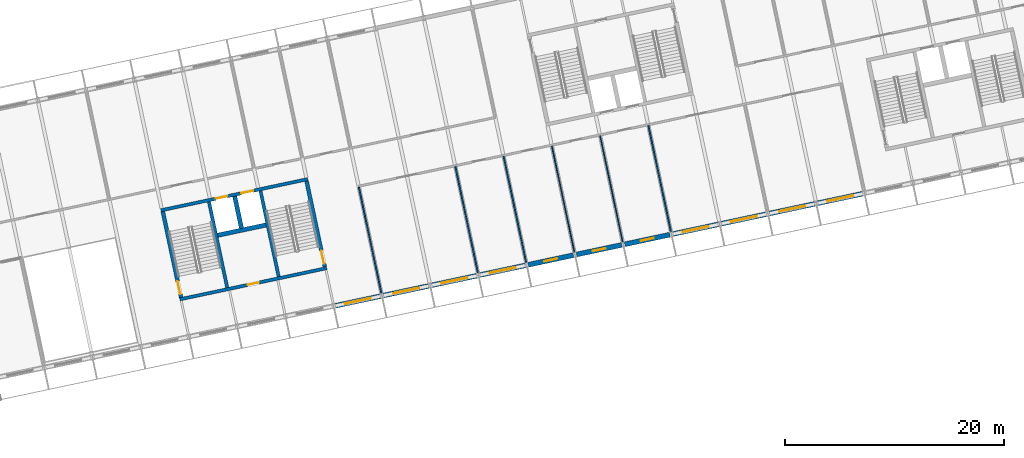
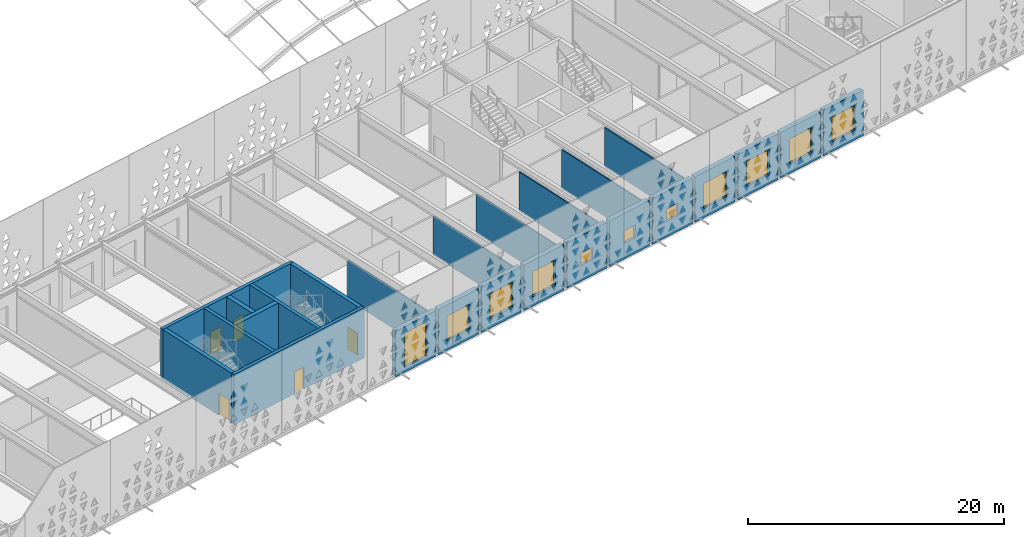
# One storey, part 122 of 196: 25 walls, 11 windows, 5 doors, 16 openings.
"""IFC4 building model written with IfcOpenShell, lengths in metres."""

from ifc_helpers import new_model, si_unit, direction, frame, frame_2d, origin, place, context, subcontext, project, spatial, rectangle, extrude, material, layer, layer_set, type_object, element, fill, save


model = new_model("IFC4")

# Units and contexts
model_context = context("Model", 3, precision=1e-05, world=origin(), true_north=direction((0.0, 1.0)))
body_context = subcontext(model_context, "Body", "Model", "MODEL_VIEW")
ifc_project = project(units=[si_unit("LENGTHUNIT", "METRE"), si_unit("AREAUNIT", "SQUARE_METRE"), si_unit("VOLUMEUNIT", "CUBIC_METRE"), si_unit("PLANEANGLEUNIT", "RADIAN"), si_unit("MASSUNIT", "GRAM", prefix="KILO")], contexts=[model_context])

# Site, building, storey
site_placement = place(None, origin())
site = spatial("IfcSite", under=ifc_project, at=site_placement, CompositionType="ELEMENT")
building_placement = place(site_placement, origin())
building = spatial("IfcBuilding", under=site, at=building_placement, Name="Okhra Congress Centre", CompositionType="ELEMENT")
storey_placement = place(building_placement, frame((0.0, 0.0, 12.0)))
storey = spatial("IfcBuildingStorey", under=building, at=storey_placement, Name="L02", CompositionType="ELEMENT", Elevation=12.0)

# Wall, opening, window
ifc_material_1 = material(Name="Insulated metal panel on steel stud (mineral wool, vapour barrier)", Category="steel")
ifc_layer_1 = layer(ifc_material_1, 0.449951171875)
ifc_layer_set_1 = layer_set([ifc_layer_1], Name="Insulated wall 450")
wall_type_1 = type_object("IfcWallType", Name="Insulated wall 450", PredefinedType="SOLIDWALL", material=ifc_layer_set_1)
wall_1_placement = place(storey_placement, frame((149.19091796875, 45.552490234375, 0.0), z_axis=(0.0, 0.0, 1.0), x_axis=(0.978146440129, 0.207917150959, 0.0)))
wall_1 = element("IfcWall", 1, at=wall_1_placement, inside=storey, type_object=wall_type_1, Name="External wall S21 L02", PredefinedType="SOLIDWALL", context=body_context, shape_type="SweptSolid", body=[
    extrude(rectangle(XDim=4.2001953125, YDim=0.449951171875, at=frame_2d((2.10009765625, 0.0))), origin(), (0.0, 0.0, 1.0), 4.35009765625),
])
opening_1_placement = place(wall_1_placement, frame((0.89990234375, 0.0, 0.449951171875)))
opening_1 = element("IfcOpeningElement", 2, at=opening_1_placement, cuts=wall_1, Name="Opening WN21", PredefinedType="OPENING", context=body_context, shape_type="SweptSolid", body=[
    extrude(rectangle(XDim=2.39990234375, YDim=3.300048828125, at=frame_2d((1.199951171875, 1.64990234375))), frame((0.0, 0.23486328125, 0.0), z_axis=(0.0, -1.0, 0.0), x_axis=(1.0, 0.0, 0.0)), (0.0, 0.0, 1.0), 0.469970703125),
])
ifc_material_2 = material(Name="Thermally broken aluminium frame, triple glazing", Category="aluminium")
window_type_1 = type_object("IfcWindowType", Name="Two-light window 2400x3300", PartitioningType="DOUBLE_PANEL_VERTICAL", PredefinedType="WINDOW", material=ifc_material_2)
window_1_placement = place(opening_1_placement, origin())
window_1 = element("IfcWindow", 3, at=window_1_placement, inside=storey, type_object=window_type_1, Name="BX.WIN.L02.21", OverallHeight=3.300048828125, OverallWidth=2.39990234375, PartitioningType="DOUBLE_PANEL_VERTICAL", PredefinedType="WINDOW", context=body_context, shape_type="SweptSolid", body=[
    extrude(rectangle(XDim=2.39990234375, YDim=3.300048828125, at=frame_2d((1.199951171875, 1.64990234375))), frame((0.0, 0.030029296875, 0.0), z_axis=(0.0, -1.0, 0.0), x_axis=(1.0, 0.0, 0.0)), (0.0, 0.0, 1.0), 0.06005859375),
])
fill(opening_1, window_1)

wall_2_placement = place(storey_placement, frame((153.5927734375, 46.488037109375, 0.0), z_axis=(0.0, 0.0, 1.0), x_axis=(0.978143927149, 0.207928972925, 0.0)))
wall_2 = element("IfcWall", 4, at=wall_2_placement, inside=storey, type_object=wall_type_1, Name="External wall S22 L02", PredefinedType="SOLIDWALL", context=body_context, shape_type="SweptSolid", body=[
    extrude(rectangle(XDim=4.199951171875, YDim=0.449951171875, at=frame_2d((2.10009765625, 0.0))), origin(), (0.0, 0.0, 1.0), 4.35009765625),
])
opening_2_placement = place(wall_2_placement, frame((0.89990234375, 0.0, 0.89990234375)))
opening_2 = element("IfcOpeningElement", 5, at=opening_2_placement, cuts=wall_2, Name="Opening WN22", PredefinedType="OPENING", context=body_context, shape_type="SweptSolid", body=[
    extrude(rectangle(XDim=2.39990234375, YDim=2.39990234375, at=frame_2d((1.199951171875, 1.199951171875))), frame((0.0, 0.23486328125, 0.0), z_axis=(0.0, -1.0, 0.0), x_axis=(1.0, 0.0, 0.0)), (0.0, 0.0, 1.0), 0.469970703125),
])
window_type_2 = type_object("IfcWindowType", Name="Fixed window 2400x2400", PartitioningType="SINGLE_PANEL", PredefinedType="WINDOW", material=ifc_material_2)
window_2_placement = place(opening_2_placement, origin())
window_2 = element("IfcWindow", 6, at=window_2_placement, inside=storey, type_object=window_type_2, Name="BX.WIN.L02.22", OverallHeight=2.39990234375, OverallWidth=2.39990234375, PartitioningType="SINGLE_PANEL", PredefinedType="WINDOW", context=body_context, shape_type="SweptSolid", body=[
    extrude(rectangle(XDim=2.39990234375, YDim=2.39990234375, at=frame_2d((1.199951171875, 1.199951171875))), frame((0.0, 0.030029296875, 0.0), z_axis=(0.0, -1.0, 0.0), x_axis=(1.0, 0.0, 0.0)), (0.0, 0.0, 1.0), 0.06005859375),
])
fill(opening_2, window_2)

wall_3_placement = place(storey_placement, frame((157.994384765625, 47.423583984375, 0.0), z_axis=(0.0, 0.0, 1.0), x_axis=(0.978143927149, 0.207928972925, 0.0)))
wall_3 = element("IfcWall", 7, at=wall_3_placement, inside=storey, type_object=wall_type_1, Name="External wall S23 L02", PredefinedType="SOLIDWALL", context=body_context, shape_type="SweptSolid", body=[
    extrude(rectangle(XDim=4.199951171875, YDim=0.449951171875, at=frame_2d((2.10009765625, 0.0))), origin(), (0.0, 0.0, 1.0), 4.35009765625),
])
opening_3_placement = place(wall_3_placement, frame((0.89990234375, 0.0, 0.89990234375)))
opening_3 = element("IfcOpeningElement", 8, at=opening_3_placement, cuts=wall_3, Name="Opening WN22", PredefinedType="OPENING", context=body_context, shape_type="SweptSolid", body=[
    extrude(rectangle(XDim=2.39990234375, YDim=2.39990234375, at=frame_2d((1.199951171875, 1.199951171875))), frame((0.0, 0.23486328125, 0.0), z_axis=(0.0, -1.0, 0.0), x_axis=(1.0, 0.0, 0.0)), (0.0, 0.0, 1.0), 0.469970703125),
])
window_3_placement = place(opening_3_placement, origin())
window_3 = element("IfcWindow", 9, at=window_3_placement, inside=storey, type_object=window_type_2, Name="BX.WIN.L02.23", OverallHeight=2.39990234375, OverallWidth=2.39990234375, PartitioningType="SINGLE_PANEL", PredefinedType="WINDOW", context=body_context, shape_type="SweptSolid", body=[
    extrude(rectangle(XDim=2.39990234375, YDim=2.39990234375, at=frame_2d((1.199951171875, 1.199951171875))), frame((0.0, 0.030029296875, 0.0), z_axis=(0.0, -1.0, 0.0), x_axis=(1.0, 0.0, 0.0)), (0.0, 0.0, 1.0), 0.06005859375),
])
fill(opening_3, window_3)

wall_4_placement = place(storey_placement, frame((162.39599609375, 48.359375, 0.0), z_axis=(0.0, 0.0, 1.0), x_axis=(0.978155748334, 0.207873355681, 0.0)))
wall_4 = element("IfcWall", 10, at=wall_4_placement, inside=storey, type_object=wall_type_1, Name="External wall S24 L02", PredefinedType="SOLIDWALL", context=body_context, shape_type="SweptSolid", body=[
    extrude(rectangle(XDim=4.199951171875, YDim=0.449951171875, at=frame_2d((2.10009765625, 0.0))), origin(), (0.0, 0.0, 1.0), 4.35009765625),
])
opening_4_placement = place(wall_4_placement, frame((0.89990234375, 0.0, 0.89990234375)))
opening_4 = element("IfcOpeningElement", 11, at=opening_4_placement, cuts=wall_4, Name="Opening WN22", PredefinedType="OPENING", context=body_context, shape_type="SweptSolid", body=[
    extrude(rectangle(XDim=2.39990234375, YDim=2.39990234375, at=frame_2d((1.199951171875, 1.199951171875))), frame((0.0, 0.23486328125, 0.0), z_axis=(0.0, -1.0, 0.0), x_axis=(1.0, 0.0, 0.0)), (0.0, 0.0, 1.0), 0.469970703125),
])
window_4_placement = place(opening_4_placement, origin())
window_4 = element("IfcWindow", 12, at=window_4_placement, inside=storey, type_object=window_type_2, Name="BX.WIN.L02.24", OverallHeight=2.39990234375, OverallWidth=2.39990234375, PartitioningType="SINGLE_PANEL", PredefinedType="WINDOW", context=body_context, shape_type="SweptSolid", body=[
    extrude(rectangle(XDim=2.39990234375, YDim=2.39990234375, at=frame_2d((1.199951171875, 1.199951171875))), frame((0.0, 0.030029296875, 0.0), z_axis=(0.0, -1.0, 0.0), x_axis=(1.0, 0.0, 0.0)), (0.0, 0.0, 1.0), 0.06005859375),
])
fill(opening_4, window_4)

wall_5_placement = place(storey_placement, frame((166.797607421875, 49.294921875, 0.0), z_axis=(0.0, 0.0, 1.0), x_axis=(0.978143927149, 0.207928972925, 0.0)))
wall_5 = element("IfcWall", 13, at=wall_5_placement, inside=storey, type_object=wall_type_1, Name="External wall S25 L02", PredefinedType="SOLIDWALL", context=body_context, shape_type="SweptSolid", body=[
    extrude(rectangle(XDim=4.199951171875, YDim=0.449951171875, at=frame_2d((2.10009765625, 0.0))), origin(), (0.0, 0.0, 1.0), 4.35009765625),
])
opening_5_placement = place(wall_5_placement, frame((1.5, 0.0, 1.5)))
opening_5 = element("IfcOpeningElement", 14, at=opening_5_placement, cuts=wall_5, Name="Opening WN24", PredefinedType="OPENING", context=body_context, shape_type="SweptSolid", body=[
    extrude(rectangle(XDim=1.199951171875, YDim=1.199951171875, at=frame_2d((0.60009765625, 0.60009765625))), frame((0.0, 0.23486328125, 0.0), z_axis=(0.0, -1.0, 0.0), x_axis=(1.0, 0.0, 0.0)), (0.0, 0.0, 1.0), 0.469970703125),
])
window_type_3 = type_object("IfcWindowType", Name="Tilt-and-turn window 1200x1200", PartitioningType="SINGLE_PANEL", PredefinedType="WINDOW", material=ifc_material_2)
window_5_placement = place(opening_5_placement, origin())
window_5 = element("IfcWindow", 15, at=window_5_placement, inside=storey, type_object=window_type_3, Name="BX.WIN.L02.25", OverallHeight=1.199951171875, OverallWidth=1.199951171875, PartitioningType="SINGLE_PANEL", PredefinedType="WINDOW", context=body_context, shape_type="SweptSolid", body=[
    extrude(rectangle(XDim=1.199951171875, YDim=1.199951171875, at=frame_2d((0.60009765625, 0.60009765625))), frame((0.0, 0.030029296875, 0.0), z_axis=(0.0, -1.0, 0.0), x_axis=(1.0, 0.0, 0.0)), (0.0, 0.0, 1.0), 0.06005859375),
])
fill(opening_5, window_5)

wall_6_placement = place(storey_placement, frame((171.19921875, 50.23046875, 0.0), z_axis=(0.0, 0.0, 1.0), x_axis=(0.978146440129, 0.207917150959, 0.0)))
wall_6 = element("IfcWall", 16, at=wall_6_placement, inside=storey, type_object=wall_type_1, Name="External wall S26 L02", PredefinedType="SOLIDWALL", context=body_context, shape_type="SweptSolid", body=[
    extrude(rectangle(XDim=4.2001953125, YDim=0.449951171875, at=frame_2d((2.10009765625, 0.0))), origin(), (0.0, 0.0, 1.0), 4.35009765625),
])
opening_6_placement = place(wall_6_placement, frame((1.5, 0.0, 1.5)))
opening_6 = element("IfcOpeningElement", 17, at=opening_6_placement, cuts=wall_6, Name="Opening WN24", PredefinedType="OPENING", context=body_context, shape_type="SweptSolid", body=[
    extrude(rectangle(XDim=1.199951171875, YDim=1.199951171875, at=frame_2d((0.60009765625, 0.60009765625))), frame((0.0, 0.23486328125, 0.0), z_axis=(0.0, -1.0, 0.0), x_axis=(1.0, 0.0, 0.0)), (0.0, 0.0, 1.0), 0.469970703125),
])
window_6_placement = place(opening_6_placement, origin())
window_6 = element("IfcWindow", 18, at=window_6_placement, inside=storey, type_object=window_type_3, Name="BX.WIN.L02.26", OverallHeight=1.199951171875, OverallWidth=1.199951171875, PartitioningType="SINGLE_PANEL", PredefinedType="WINDOW", context=body_context, shape_type="SweptSolid", body=[
    extrude(rectangle(XDim=1.199951171875, YDim=1.199951171875, at=frame_2d((0.60009765625, 0.60009765625))), frame((0.0, 0.030029296875, 0.0), z_axis=(0.0, -1.0, 0.0), x_axis=(1.0, 0.0, 0.0)), (0.0, 0.0, 1.0), 0.06005859375),
])
fill(opening_6, window_6)

wall_7_placement = place(storey_placement, frame((175.60107421875, 51.166015625, 0.0), z_axis=(0.0, 0.0, 1.0), x_axis=(0.978143927149, 0.207928972925, 0.0)))
wall_7 = element("IfcWall", 19, at=wall_7_placement, inside=storey, type_object=wall_type_1, Name="External wall S27 L02", PredefinedType="SOLIDWALL", context=body_context, shape_type="SweptSolid", body=[
    extrude(rectangle(XDim=4.199951171875, YDim=0.449951171875, at=frame_2d((2.10009765625, 0.0))), origin(), (0.0, 0.0, 1.0), 4.35009765625),
])
opening_7_placement = place(wall_7_placement, frame((1.5, 0.0, 1.5)))
opening_7 = element("IfcOpeningElement", 20, at=opening_7_placement, cuts=wall_7, Name="Opening WN24", PredefinedType="OPENING", context=body_context, shape_type="SweptSolid", body=[
    extrude(rectangle(XDim=1.199951171875, YDim=1.199951171875, at=frame_2d((0.60009765625, 0.60009765625))), frame((0.0, 0.23486328125, 0.0), z_axis=(0.0, -1.0, 0.0), x_axis=(1.0, 0.0, 0.0)), (0.0, 0.0, 1.0), 0.469970703125),
])
window_7_placement = place(opening_7_placement, origin())
window_7 = element("IfcWindow", 21, at=window_7_placement, inside=storey, type_object=window_type_3, Name="BX.WIN.L02.27", OverallHeight=1.199951171875, OverallWidth=1.199951171875, PartitioningType="SINGLE_PANEL", PredefinedType="WINDOW", context=body_context, shape_type="SweptSolid", body=[
    extrude(rectangle(XDim=1.199951171875, YDim=1.199951171875, at=frame_2d((0.60009765625, 0.60009765625))), frame((0.0, 0.030029296875, 0.0), z_axis=(0.0, -1.0, 0.0), x_axis=(1.0, 0.0, 0.0)), (0.0, 0.0, 1.0), 0.06005859375),
])
fill(opening_7, window_7)

wall_8_placement = place(storey_placement, frame((180.002685546875, 52.101806640625, 0.0), z_axis=(0.0, 0.0, 1.0), x_axis=(0.978155748334, 0.207873355681, 0.0)))
wall_8 = element("IfcWall", 22, at=wall_8_placement, inside=storey, type_object=wall_type_1, Name="External wall S28 L02", PredefinedType="SOLIDWALL", context=body_context, shape_type="SweptSolid", body=[
    extrude(rectangle(XDim=4.199951171875, YDim=0.449951171875, at=frame_2d((2.10009765625, 0.0))), origin(), (0.0, 0.0, 1.0), 4.35009765625),
])
opening_8_placement = place(wall_8_placement, frame((0.89990234375, 0.0, 0.89990234375)))
opening_8 = element("IfcOpeningElement", 23, at=opening_8_placement, cuts=wall_8, Name="Opening WN22", PredefinedType="OPENING", context=body_context, shape_type="SweptSolid", body=[
    extrude(rectangle(XDim=2.39990234375, YDim=2.39990234375, at=frame_2d((1.199951171875, 1.199951171875))), frame((0.0, 0.23486328125, 0.0), z_axis=(0.0, -1.0, 0.0), x_axis=(1.0, 0.0, 0.0)), (0.0, 0.0, 1.0), 0.469970703125),
])
window_8_placement = place(opening_8_placement, origin())
window_8 = element("IfcWindow", 24, at=window_8_placement, inside=storey, type_object=window_type_2, Name="BX.WIN.L02.28", OverallHeight=2.39990234375, OverallWidth=2.39990234375, PartitioningType="SINGLE_PANEL", PredefinedType="WINDOW", context=body_context, shape_type="SweptSolid", body=[
    extrude(rectangle(XDim=2.39990234375, YDim=2.39990234375, at=frame_2d((1.199951171875, 1.199951171875))), frame((0.0, 0.030029296875, 0.0), z_axis=(0.0, -1.0, 0.0), x_axis=(1.0, 0.0, 0.0)), (0.0, 0.0, 1.0), 0.06005859375),
])
fill(opening_8, window_8)

wall_9_placement = place(storey_placement, frame((184.404296875, 53.037353515625, 0.0), z_axis=(0.0, 0.0, 1.0), x_axis=(0.978143927149, 0.207928972925, 0.0)))
wall_9 = element("IfcWall", 25, at=wall_9_placement, inside=storey, type_object=wall_type_1, Name="External wall S29 L02", PredefinedType="SOLIDWALL", context=body_context, shape_type="SweptSolid", body=[
    extrude(rectangle(XDim=4.199951171875, YDim=0.449951171875, at=frame_2d((2.10009765625, 0.0))), origin(), (0.0, 0.0, 1.0), 4.35009765625),
])
opening_9_placement = place(wall_9_placement, frame((0.89990234375, 0.0, 0.89990234375)))
opening_9 = element("IfcOpeningElement", 26, at=opening_9_placement, cuts=wall_9, Name="Opening WN22", PredefinedType="OPENING", context=body_context, shape_type="SweptSolid", body=[
    extrude(rectangle(XDim=2.39990234375, YDim=2.39990234375, at=frame_2d((1.199951171875, 1.199951171875))), frame((0.0, 0.23486328125, 0.0), z_axis=(0.0, -1.0, 0.0), x_axis=(1.0, 0.0, 0.0)), (0.0, 0.0, 1.0), 0.469970703125),
])
window_9_placement = place(opening_9_placement, origin())
window_9 = element("IfcWindow", 27, at=window_9_placement, inside=storey, type_object=window_type_2, Name="BX.WIN.L02.29", OverallHeight=2.39990234375, OverallWidth=2.39990234375, PartitioningType="SINGLE_PANEL", PredefinedType="WINDOW", context=body_context, shape_type="SweptSolid", body=[
    extrude(rectangle(XDim=2.39990234375, YDim=2.39990234375, at=frame_2d((1.199951171875, 1.199951171875))), frame((0.0, 0.030029296875, 0.0), z_axis=(0.0, -1.0, 0.0), x_axis=(1.0, 0.0, 0.0)), (0.0, 0.0, 1.0), 0.06005859375),
])
fill(opening_9, window_9)

wall_10_placement = place(storey_placement, frame((188.805908203125, 53.972900390625, 0.0), z_axis=(0.0, 0.0, 1.0), x_axis=(0.978146440129, 0.207917150959, 0.0)))
wall_10 = element("IfcWall", 28, at=wall_10_placement, inside=storey, type_object=wall_type_1, Name="External wall S30 L02", PredefinedType="SOLIDWALL", context=body_context, shape_type="SweptSolid", body=[
    extrude(rectangle(XDim=4.2001953125, YDim=0.449951171875, at=frame_2d((2.10009765625, 0.0))), origin(), (0.0, 0.0, 1.0), 4.35009765625),
])
opening_10_placement = place(wall_10_placement, frame((0.89990234375, 0.0, 0.89990234375)))
opening_10 = element("IfcOpeningElement", 29, at=opening_10_placement, cuts=wall_10, Name="Opening WN22", PredefinedType="OPENING", context=body_context, shape_type="SweptSolid", body=[
    extrude(rectangle(XDim=2.39990234375, YDim=2.39990234375, at=frame_2d((1.199951171875, 1.199951171875))), frame((0.0, 0.23486328125, 0.0), z_axis=(0.0, -1.0, 0.0), x_axis=(1.0, 0.0, 0.0)), (0.0, 0.0, 1.0), 0.469970703125),
])
window_10_placement = place(opening_10_placement, origin())
window_10 = element("IfcWindow", 30, at=window_10_placement, inside=storey, type_object=window_type_2, Name="BX.WIN.L02.30", OverallHeight=2.39990234375, OverallWidth=2.39990234375, PartitioningType="SINGLE_PANEL", PredefinedType="WINDOW", context=body_context, shape_type="SweptSolid", body=[
    extrude(rectangle(XDim=2.39990234375, YDim=2.39990234375, at=frame_2d((1.199951171875, 1.199951171875))), frame((0.0, 0.030029296875, 0.0), z_axis=(0.0, -1.0, 0.0), x_axis=(1.0, 0.0, 0.0)), (0.0, 0.0, 1.0), 0.06005859375),
])
fill(opening_10, window_10)

wall_11_placement = place(storey_placement, frame((193.20751953125, 54.908447265625, 0.0), z_axis=(0.0, 0.0, 1.0), x_axis=(0.978146440129, 0.207917150959, 0.0)))
wall_11 = element("IfcWall", 31, at=wall_11_placement, inside=storey, type_object=wall_type_1, Name="External wall S31 L02", PredefinedType="SOLIDWALL", context=body_context, shape_type="SweptSolid", body=[
    extrude(rectangle(XDim=4.2001953125, YDim=0.449951171875, at=frame_2d((2.10009765625, 0.0))), origin(), (0.0, 0.0, 1.0), 4.35009765625),
])
opening_11_placement = place(wall_11_placement, frame((0.89990234375, 0.0, 0.89990234375)))
opening_11 = element("IfcOpeningElement", 32, at=opening_11_placement, cuts=wall_11, Name="Opening WN22", PredefinedType="OPENING", context=body_context, shape_type="SweptSolid", body=[
    extrude(rectangle(XDim=2.39990234375, YDim=2.39990234375, at=frame_2d((1.199951171875, 1.199951171875))), frame((0.0, 0.23486328125, 0.0), z_axis=(0.0, -1.0, 0.0), x_axis=(1.0, 0.0, 0.0)), (0.0, 0.0, 1.0), 0.469970703125),
])
window_11_placement = place(opening_11_placement, origin())
window_11 = element("IfcWindow", 33, at=window_11_placement, inside=storey, type_object=window_type_2, Name="BX.WIN.L02.31", OverallHeight=2.39990234375, OverallWidth=2.39990234375, PartitioningType="SINGLE_PANEL", PredefinedType="WINDOW", context=body_context, shape_type="SweptSolid", body=[
    extrude(rectangle(XDim=2.39990234375, YDim=2.39990234375, at=frame_2d((1.199951171875, 1.199951171875))), frame((0.0, 0.030029296875, 0.0), z_axis=(0.0, -1.0, 0.0), x_axis=(1.0, 0.0, 0.0)), (0.0, 0.0, 1.0), 0.06005859375),
])
fill(opening_11, window_11)

# Walls
ifc_material_3 = material(Name="Gypsum board on steel studs", Category="steel")
ifc_layer_2 = layer(ifc_material_3, 0.10009765625)
ifc_layer_set_2 = layer_set([ifc_layer_2], Name="Partition 100")
wall_type_2 = type_object("IfcWallType", Name="Partition 100", PredefinedType="PARTITIONING", material=ifc_layer_set_2)
for number, where, z_axis, x_axis, name in (
    (34, (171.005859375, 50.41943359375, 0.0), (0.0, 0.0, 1.0), (-0.20790935802, 0.978148096582, 0.0), "Partition S L02"),
    (35, (175.407470703125, 51.35498046875, 0.0), (0.0, 0.0, 1.0), (-0.20790935802, 0.978148096582, 0.0), "Partition S L02"),
):
    element("IfcWall", number, at=place(storey_placement, frame(where, z_axis=z_axis, x_axis=x_axis)), inside=storey, type_object=wall_type_2, Name=name, PredefinedType="PARTITIONING", context=body_context, shape_type="SweptSolid", body=[
        extrude(rectangle(XDim=9.9248046875, YDim=0.10009765625, at=frame_2d((4.96240234375, 0.0))), origin(), (0.0, 0.0, 1.0), 3.75),
    ])
ifc_layer_3 = layer(ifc_material_3, 0.125)
ifc_layer_set_3 = layer_set([ifc_layer_3], Name="Partition 125")
wall_type_3 = type_object("IfcWallType", Name="Partition 125", PredefinedType="PARTITIONING", material=ifc_layer_set_3)
wall_12_placement = place(storey_placement, frame((153.399169921875, 46.677001953125, 0.0), z_axis=(0.0, 0.0, 1.0), x_axis=(-0.20790935802, 0.978148096582, 0.0)))
element("IfcWall", 36, at=wall_12_placement, inside=storey, type_object=wall_type_3, Name="Partition S L02", PredefinedType="PARTITIONING", context=body_context, shape_type="SweptSolid", body=[
    extrude(rectangle(XDim=9.9248046875, YDim=0.125, at=frame_2d((4.96240234375, 0.0))), origin(), (0.0, 0.0, 1.0), 3.75),
])
for number, where, z_axis, x_axis, name in (
    (37, (162.202392578125, 48.548095703125, 0.0), (0.0, 0.0, 1.0), (-0.207904355568, 0.978149159861, 0.0), "Partition S L02"),
    (38, (166.604248046875, 49.48388671875, 0.0), (0.0, 0.0, 1.0), (-0.207932893358, 0.978143093754, 0.0), "Partition S L02"),
    (39, (179.80908203125, 52.29052734375, 0.0), (0.0, 0.0, 1.0), (-0.207904355568, 0.978149159861, 0.0), "Partition S L02"),
):
    element("IfcWall", number, at=place(storey_placement, frame(where, z_axis=z_axis, x_axis=x_axis)), inside=storey, type_object=wall_type_3, Name=name, PredefinedType="PARTITIONING", context=body_context, shape_type="SweptSolid", body=[
        extrude(rectangle(XDim=9.925048828125, YDim=0.125, at=frame_2d((4.96240234375, 0.0))), origin(), (0.0, 0.0, 1.0), 3.75),
    ])

# Wall, opening, door
ifc_material_4 = material(Name="Concrete C35/45", Category="concrete")
ifc_layer_4 = layer(ifc_material_4, 0.300048828125)
ifc_layer_set_4 = layer_set([ifc_layer_4], Name="RC core wall 300 REI 120 C35/45")
wall_type_4 = type_object("IfcWallType", Name="RC core wall 300 REI 120 C35/45", PredefinedType="SHEAR", material=ifc_layer_set_4)
wall_13_placement = place(storey_placement, frame((135.008544921875, 46.1416015625, 0.0), z_axis=(0.0, 0.0, 1.0), x_axis=(0.978147662755, 0.20791139903, 0.0)))
wall_13 = element("IfcWall", 40, at=wall_13_placement, inside=storey, type_object=wall_type_4, Name="BX.WALL.L02.K3S", PredefinedType="SHEAR", context=body_context, shape_type="SweptSolid", body=[
    extrude(rectangle(XDim=13.699951171875, YDim=0.300048828125, at=frame_2d((6.85009765625, 0.0))), origin(), (0.0, 0.0, 1.0), 4.800048828125),
])
opening_12_placement = place(wall_13_placement, frame((6.35009765625, 0.0, 0.0)))
opening_12 = element("IfcOpeningElement", 41, at=opening_12_placement, cuts=wall_13, Name="Opening L02-050", PredefinedType="OPENING", context=body_context, shape_type="SweptSolid", body=[
    extrude(rectangle(XDim=1.0, YDim=2.10009765625, at=frame_2d((0.5, 1.050048828125))), frame((0.0, 0.159912109375, 0.0), z_axis=(0.0, -1.0, 0.0), x_axis=(1.0, 0.0, 0.0)), (0.0, 0.0, 1.0), 0.320068359375),
])
ifc_material_5 = material(Name="Steel fire door leaf in steel frame, intumescent seals", Category="steel")
door_type_1 = type_object("IfcDoorType", Name="Steel fire door 1000x2100 EI 30", OperationType="NOTDEFINED", PredefinedType="DOOR", material=ifc_material_5)
door_1_placement = place(opening_12_placement, origin())
door_1 = element("IfcDoor", 42, at=door_1_placement, inside=storey, type_object=door_type_1, Name="Door L02-050", OperationType="SINGLE_SWING_RIGHT", OverallHeight=2.10009765625, OverallWidth=1.0, PredefinedType="DOOR", context=body_context, shape_type="SweptSolid", body=[
    extrude(rectangle(XDim=1.0, YDim=2.10009765625, at=frame_2d((0.5, 1.050048828125))), frame((0.0, 0.02490234375, 0.0), z_axis=(0.0, -1.0, 0.0), x_axis=(1.0, 0.0, 0.0)), (0.0, 0.0, 1.0), 0.050048828125),
])
fill(opening_12, door_1)

# Wall, openings, doors
wall_14_placement = place(storey_placement, frame((133.282958984375, 54.26025390625, 0.0), z_axis=(0.0, 0.0, 1.0), x_axis=(0.978147662755, 0.20791139903, 0.0)))
wall_14 = element("IfcWall", 43, at=wall_14_placement, inside=storey, type_object=wall_type_4, Name="BX.WALL.L02.K3T", PredefinedType="SHEAR", context=body_context, shape_type="SweptSolid", body=[
    extrude(rectangle(XDim=13.699951171875, YDim=0.300048828125, at=frame_2d((6.85009765625, 0.0))), origin(), (0.0, 0.0, 1.0), 4.800048828125),
])
opening_13_placement = place(wall_14_placement, frame((5.10009765625, 0.0, 0.0)))
opening_13 = element("IfcOpeningElement", 44, at=opening_13_placement, cuts=wall_14, Name="Opening L02-046", PredefinedType="OPENING", context=body_context, shape_type="SweptSolid", body=[
    extrude(rectangle(XDim=1.10009765625, YDim=2.10009765625, at=frame_2d((0.550048828125, 1.050048828125))), frame((0.0, 0.159912109375, 0.0), z_axis=(0.0, -1.0, 0.0), x_axis=(1.0, 0.0, 0.0)), (0.0, 0.0, 1.0), 0.320068359375),
])
opening_14_placement = place(wall_14_placement, frame((7.5, 0.0, 0.0)))
opening_14 = element("IfcOpeningElement", 45, at=opening_14_placement, cuts=wall_14, Name="Opening L02-047", PredefinedType="OPENING", context=body_context, shape_type="SweptSolid", body=[
    extrude(rectangle(XDim=1.10009765625, YDim=2.10009765625, at=frame_2d((0.550048828125, 1.050048828125))), frame((0.0, 0.159912109375, 0.0), z_axis=(0.0, -1.0, 0.0), x_axis=(1.0, 0.0, 0.0)), (0.0, 0.0, 1.0), 0.320068359375),
])
ifc_material_6 = material(Name="Stainless steel sliding landing door leaves", Category="steel")
door_type_2 = type_object("IfcDoorType", Name="Lift landing door 1100x2100 EI 30", OperationType="DOUBLE_DOOR_SLIDING", PredefinedType="DOOR", material=ifc_material_6)
door_2_placement = place(opening_13_placement, origin())
door_2 = element("IfcDoor", 46, at=door_2_placement, inside=storey, type_object=door_type_2, Name="Door L02-046", OperationType="DOUBLE_DOOR_SLIDING", OverallHeight=2.10009765625, OverallWidth=1.10009765625, PredefinedType="DOOR", context=body_context, shape_type="SweptSolid", body=[
    extrude(rectangle(XDim=1.10009765625, YDim=2.10009765625, at=frame_2d((0.550048828125, 1.050048828125))), frame((0.0, 0.02490234375, 0.0), z_axis=(0.0, -1.0, 0.0), x_axis=(1.0, 0.0, 0.0)), (0.0, 0.0, 1.0), 0.050048828125),
])
fill(opening_13, door_2)
door_3_placement = place(opening_14_placement, origin())
door_3 = element("IfcDoor", 47, at=door_3_placement, inside=storey, type_object=door_type_2, Name="Door L02-047", OperationType="DOUBLE_DOOR_SLIDING", OverallHeight=2.10009765625, OverallWidth=1.10009765625, PredefinedType="DOOR", context=body_context, shape_type="SweptSolid", body=[
    extrude(rectangle(XDim=1.10009765625, YDim=2.10009765625, at=frame_2d((0.550048828125, 1.050048828125))), frame((0.0, 0.02490234375, 0.0), z_axis=(0.0, -1.0, 0.0), x_axis=(1.0, 0.0, 0.0)), (0.0, 0.0, 1.0), 0.050048828125),
])
fill(opening_14, door_3)

# Walls
for number, where, z_axis, x_axis, name in (
    (48, (139.330078125, 47.213623046875, 0.0), (0.0, 0.0, 1.0), (-0.207915693476, 0.978146749934, 0.0), "BX.WALL.L02.K3P1"),
    (49, (144.025146484375, 48.211669921875, 0.0), (0.0, 0.0, 1.0), (-0.207886494942, 0.978152955943, 0.0), "BX.WALL.L02.K3P2"),
):
    element("IfcWall", number, at=place(storey_placement, frame(where, z_axis=z_axis, x_axis=x_axis)), inside=storey, type_object=wall_type_4, Name=name, PredefinedType="SHEAR", context=body_context, shape_type="SweptSolid", body=[
        extrude(rectangle(XDim=8.0, YDim=0.300048828125, at=frame_2d((4.0, 0.0))), origin(), (0.0, 0.0, 1.0), 4.800048828125),
    ])
ifc_layer_5 = layer(ifc_material_4, 0.39990234375)
ifc_layer_set_5 = layer_set([ifc_layer_5], Name="RC core wall 400 REI 120 C35/45")
wall_type_5 = type_object("IfcWallType", Name="RC core wall 400 REI 120 C35/45", PredefinedType="SHEAR", material=ifc_layer_set_5)
wall_15_placement = place(storey_placement, frame((140.63818359375, 52.603271484375, 0.0), z_axis=(0.0, 0.0, 1.0), x_axis=(-0.207917150959, 0.978146440129, 0.0)))
element("IfcWall", 50, at=wall_15_placement, inside=storey, type_object=wall_type_5, Name="BX.WALL.L02.K3D", PredefinedType="SHEAR", context=body_context, shape_type="SweptSolid", body=[
    extrude(rectangle(XDim=3.000244140625, YDim=0.39990234375, at=frame_2d((1.5, 0.0))), origin(), (0.0, 0.0, 1.0), 4.800048828125),
])
wall_16_placement = place(storey_placement, frame((138.468505859375, 51.98876953125, 0.0), z_axis=(0.0, 0.0, 1.0), x_axis=(0.978149611564, 0.20790223038, 0.0)))
element("IfcWall", 51, at=wall_16_placement, inside=storey, type_object=wall_type_5, Name="BX.WALL.L02.K3R", PredefinedType="SHEAR", context=body_context, shape_type="SweptSolid", body=[
    extrude(rectangle(XDim=4.5, YDim=0.39990234375, at=frame_2d((2.25, 0.0))), origin(), (0.0, 0.0, 1.0), 4.800048828125),
])

# Wall, opening, door
ifc_material_7 = material(Name="Concrete C30/37", Category="concrete")
ifc_layer_6 = layer(ifc_material_7, 0.35009765625)
ifc_layer_set_6 = layer_set([ifc_layer_6], Name="RC wall 350 REI 120 C30/37")
wall_type_6 = type_object("IfcWallType", Name="RC wall 350 REI 120 C30/37", PredefinedType="SOLIDWALL", material=ifc_layer_set_6)
wall_17_placement = place(storey_placement, frame((135.1240234375, 46.319580078125, 0.0), z_axis=(0.0, 0.0, 1.0), x_axis=(-0.207886494942, 0.978152955943, 0.0)))
wall_17 = element("IfcWall", 52, at=wall_17_placement, inside=storey, type_object=wall_type_6, Name="BX.WALL.L02.K3W", PredefinedType="SOLIDWALL", context=body_context, shape_type="SweptSolid", body=[
    extrude(rectangle(XDim=8.0, YDim=0.35009765625, at=frame_2d((4.0, 0.0))), origin(), (0.0, 0.0, 1.0), 4.800048828125),
])
opening_15_placement = place(wall_17_placement, frame((0.300048828125, 0.0, 0.0)))
opening_15 = element("IfcOpeningElement", 53, at=opening_15_placement, cuts=wall_17, Name="Opening L02-048", PredefinedType="OPENING", context=body_context, shape_type="SweptSolid", body=[
    extrude(rectangle(XDim=1.199951171875, YDim=2.10009765625, at=frame_2d((0.60009765625, 1.050048828125))), frame((0.0, 0.18505859375, 0.0), z_axis=(0.0, -1.0, 0.0), x_axis=(1.0, 0.0, 0.0)), (0.0, 0.0, 1.0), 0.3701171875),
])
door_type_3 = type_object("IfcDoorType", Name="Steel fire door 1200x2100 EI 30", OperationType="NOTDEFINED", PredefinedType="DOOR", material=ifc_material_5)
door_4_placement = place(opening_15_placement, origin())
door_4 = element("IfcDoor", 54, at=door_4_placement, inside=storey, type_object=door_type_3, Name="Door L02-048", OperationType="SINGLE_SWING_LEFT", OverallHeight=2.10009765625, OverallWidth=1.199951171875, PredefinedType="DOOR", context=body_context, shape_type="SweptSolid", body=[
    extrude(rectangle(XDim=1.199951171875, YDim=2.10009765625, at=frame_2d((0.60009765625, 1.050048828125))), frame((0.0, 0.02490234375, 0.0), z_axis=(0.0, -1.0, 0.0), x_axis=(1.0, 0.0, 0.0)), (0.0, 0.0, 1.0), 0.050048828125),
])
fill(opening_15, door_4)

wall_18_placement = place(storey_placement, frame((148.231201171875, 49.10546875, 0.0), z_axis=(0.0, 0.0, 1.0), x_axis=(-0.207886494942, 0.978152955943, 0.0)))
wall_18 = element("IfcWall", 55, at=wall_18_placement, inside=storey, type_object=wall_type_6, Name="BX.WALL.L02.K3E", PredefinedType="SOLIDWALL", context=body_context, shape_type="SweptSolid", body=[
    extrude(rectangle(XDim=8.0, YDim=0.35009765625, at=frame_2d((4.0, 0.0))), origin(), (0.0, 0.0, 1.0), 4.800048828125),
])
opening_16_placement = place(wall_18_placement, frame((0.300048828125, 0.0, 0.0)))
opening_16 = element("IfcOpeningElement", 56, at=opening_16_placement, cuts=wall_18, Name="Opening L02-049", PredefinedType="OPENING", context=body_context, shape_type="SweptSolid", body=[
    extrude(rectangle(XDim=1.199951171875, YDim=2.10009765625, at=frame_2d((0.60009765625, 1.050048828125))), frame((0.0, 0.18505859375, 0.0), z_axis=(0.0, -1.0, 0.0), x_axis=(1.0, 0.0, 0.0)), (0.0, 0.0, 1.0), 0.3701171875),
])
door_5_placement = place(opening_16_placement, frame((1.199951171875, 0.0, 0.0), z_axis=(0.0, 0.0, 1.0), x_axis=(-1.0, 0.0, 0.0)))
door_5 = element("IfcDoor", 57, at=door_5_placement, inside=storey, type_object=door_type_3, Name="Door L02-049", OperationType="SINGLE_SWING_LEFT", OverallHeight=2.10009765625, OverallWidth=1.199951171875, PredefinedType="DOOR", context=body_context, shape_type="SweptSolid", body=[
    extrude(rectangle(XDim=1.199951171875, YDim=2.10009765625, at=frame_2d((0.60009765625, 1.050048828125))), frame((0.0, 0.02490234375, 0.0), z_axis=(0.0, -1.0, 0.0), x_axis=(1.0, 0.0, 0.0)), (0.0, 0.0, 1.0), 0.050048828125),
])
fill(opening_16, door_5)

save(model, "model.ifc")
